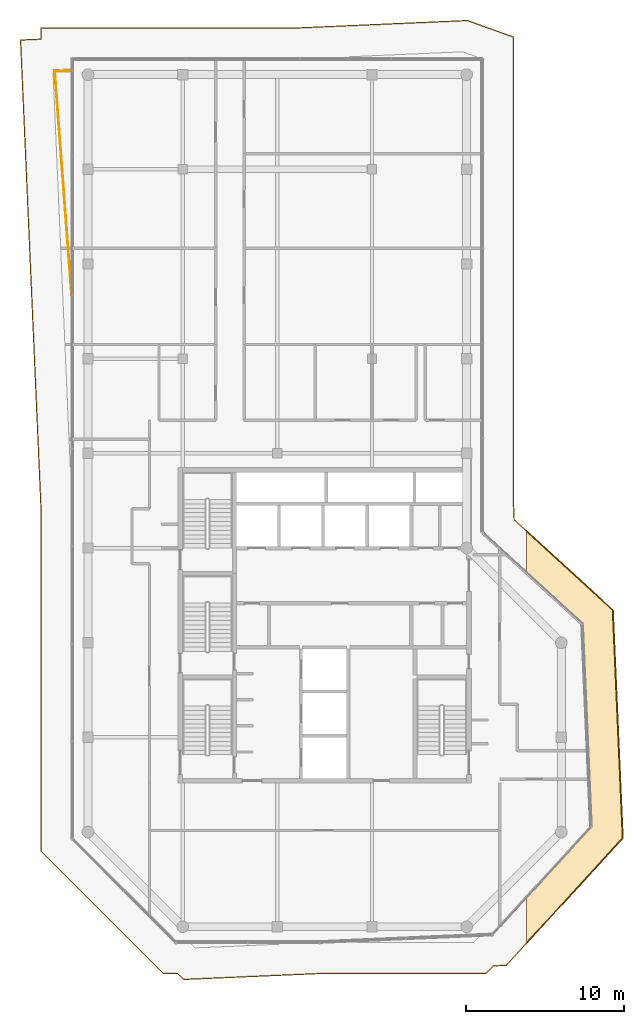
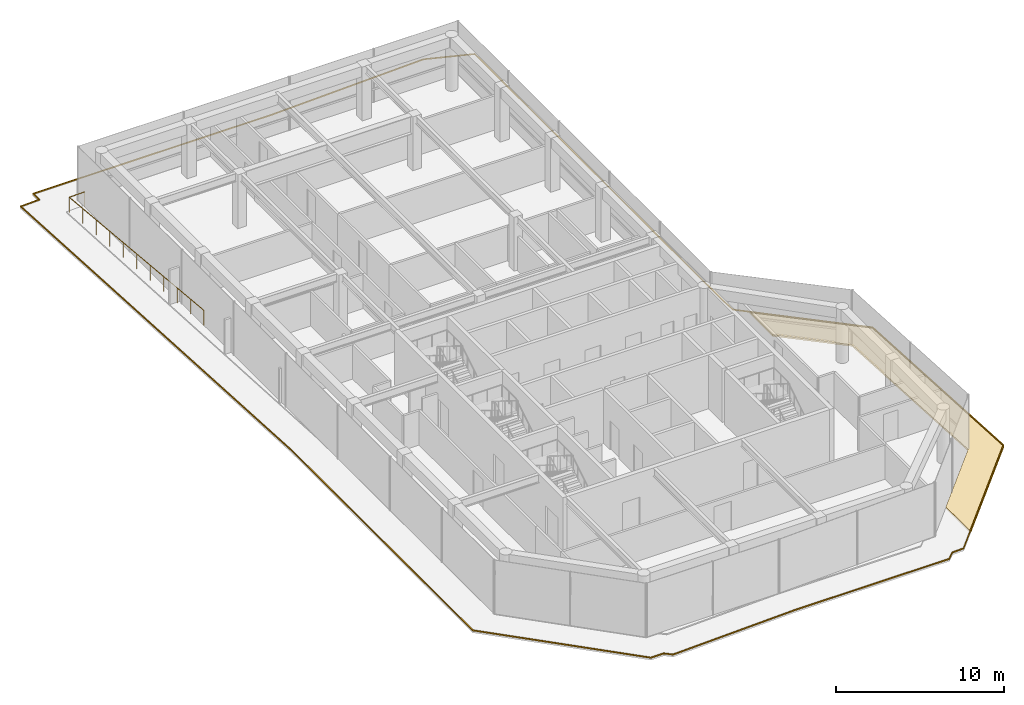
# One storey, part 19 of 19: 3 coverings, 1 railing.
"""IFC4 building model written with IfcOpenShell, lengths in metres."""

from ifc_helpers import new_model, si_unit, direction, frame, origin, origin_2d, place, context, subcontext, project, spatial, polyline, circle, outline, extrude, material, layer, layer_set, type_object, element, save


model = new_model("IFC4")

# Units and contexts
model_context = context("Model", 3, precision=1e-05, world=origin(), true_north=direction((0.0, 1.0)))
body_context = subcontext(model_context, "Body", "Model", "MODEL_VIEW")
ifc_project = project(units=[si_unit("LENGTHUNIT", "METRE"), si_unit("AREAUNIT", "SQUARE_METRE"), si_unit("VOLUMEUNIT", "CUBIC_METRE"), si_unit("PLANEANGLEUNIT", "RADIAN"), si_unit("MASSUNIT", "GRAM", prefix="KILO")], contexts=[model_context])

# Site, building, storey
site_placement = place(None, origin())
site = spatial("IfcSite", under=ifc_project, at=site_placement, CompositionType="ELEMENT")
building_placement = place(site_placement, origin())
building = spatial("IfcBuilding", under=site, at=building_placement, Name="Welwitschia Terrace Campus", CompositionType="ELEMENT")
storey_placement = place(building_placement, frame((0.0, 0.0, 323.0)))
storey = spatial("IfcBuildingStorey", under=building, at=storey_placement, Name="L72", CompositionType="ELEMENT", Elevation=323.0)

# Railing
ifc_material_1 = material(Name="Stainless steel grade 316", Category="steel")
railing_type = type_object("IfcRailingType", Name="Guard 1100", PredefinedType="GUARDRAIL", material=ifc_material_1)
railing_placement = place(storey_placement, frame((-1.030029296875, 36.040771484375, 0.0)))
element("IfcRailing", 1, at=railing_placement, inside=storey, type_object=railing_type, Name="Guard floor edge L72.0", PredefinedType="GUARDRAIL", context=body_context, shape_type="SweptSolid", body=[
    extrude(circle(Radius=0.02392578125, at=origin_2d()), frame((0.0, 0.0, 1.076171875), z_axis=(-0.075231866343, 0.997166067557, 0.0), x_axis=(-0.997166067557, -0.075231866343, 0.0)), (0.0, 0.0, 1.0), 14.200927734375),
    extrude(circle(Radius=0.02392578125, at=origin_2d()), frame((-1.068359375, 14.16064453125, 1.076171875), z_axis=(0.999684212458, 0.025129173531, 0.0), x_axis=(-0.025129173531, 0.999684212458, 0.0)), (0.0, 0.0, 1.0), 1.068603515625),
    extrude(circle(Radius=0.02099609375, at=origin_2d()), origin(), (0.0, 0.0, 1.0), 1.052001953125),
    extrude(circle(Radius=0.02099609375, at=origin_2d()), frame((-0.10693359375, 1.416015625, 0.0)), (0.0, 0.0, 1.0), 1.052001953125),
    extrude(circle(Radius=0.02099609375, at=origin_2d()), frame((-0.213623046875, 2.83203125, 0.0)), (0.0, 0.0, 1.0), 1.052001953125),
    extrude(circle(Radius=0.02099609375, at=origin_2d()), frame((-0.320556640625, 4.248291015625, 0.0)), (0.0, 0.0, 1.0), 1.052001953125),
    extrude(circle(Radius=0.02099609375, at=origin_2d()), frame((-0.42724609375, 5.664306640625, 0.0)), (0.0, 0.0, 1.0), 1.052001953125),
    extrude(circle(Radius=0.02099609375, at=origin_2d()), frame((-0.5341796875, 7.080322265625, 0.0)), (0.0, 0.0, 1.0), 1.052001953125),
    extrude(circle(Radius=0.02099609375, at=origin_2d()), frame((-0.64111328125, 8.496337890625, 0.0)), (0.0, 0.0, 1.0), 1.052001953125),
    extrude(circle(Radius=0.02099609375, at=origin_2d()), frame((-0.747802734375, 9.912353515625, 0.0)), (0.0, 0.0, 1.0), 1.052001953125),
    extrude(circle(Radius=0.02099609375, at=origin_2d()), frame((-0.854736328125, 11.32861328125, 0.0)), (0.0, 0.0, 1.0), 1.052001953125),
    extrude(circle(Radius=0.02099609375, at=origin_2d()), frame((-0.96142578125, 12.74462890625, 0.0)), (0.0, 0.0, 1.0), 1.052001953125),
    extrude(circle(Radius=0.02099609375, at=origin_2d()), frame((-1.068359375, 14.16064453125, 0.0)), (0.0, 0.0, 1.0), 1.052001953125),
    extrude(circle(Radius=0.02099609375, at=origin_2d()), frame((0.0, 14.1875, 0.0)), (0.0, 0.0, 1.0), 1.052001953125),
])

# Coverings
ifc_material_2 = material(Name="Bronze anodised aluminium", Category="aluminium")
ifc_layer_1 = layer(ifc_material_2, 0.1201171875)
ifc_layer_set_1 = layer_set([ifc_layer_1], Name="Bronze anodised aluminium")
covering_type_1 = type_object("IfcCoveringType", Name="Sunshade band 2000", PredefinedType="USERDEFINED", material=ifc_layer_set_1)
covering_1_placement = place(storey_placement, frame((0.0, 0.0, -0.199951171875)))
element("IfcCovering", 2, at=covering_1_placement, inside=storey, type_object=covering_type_1, Name="SUNSHADE L72.SE0", ObjectType="SUNSHADE", PredefinedType="USERDEFINED", context=body_context, shape_type="SweptSolid", body=[
    extrude(outline(polyline([(33.303955078125, 16.07568359375), (33.935791015625, 1.604248046875), (27.776611328125, -5.117431640625), (27.776611328125, -2.156982421875), (31.901611328125, 2.344482421875), (31.342041015625, 15.160888671875), (27.776611328125, 18.427978515625), (27.776611328125, 21.140625), (33.303955078125, 16.07568359375)])), origin(), (0.0, 0.0, 1.0), 0.119873046875),
])
ifc_material_3 = material(Name="Bronze anodised aluminium", Category="aluminium")
ifc_layer_2 = layer(ifc_material_3, 0.06005859375)
ifc_layer_set_2 = layer_set([ifc_layer_2], Name="Bronze anodised aluminium")
covering_type_2 = type_object("IfcCoveringType", Name="Sunshade lip 60", PredefinedType="USERDEFINED", material=ifc_layer_set_2)
covering_2_placement = place(storey_placement, frame((0.0, 0.0, -0.080078125)))
element("IfcCovering", 3, at=covering_2_placement, inside=storey, type_object=covering_type_2, Name="SUNSHADE LIP L72.SW0.0", ObjectType="SUNSHADE", PredefinedType="USERDEFINED", context=body_context, shape_type="SweptSolid", body=[
    extrude(outline(polyline([(-3.0, 53.0), (13.399658203125, 53.0), (24.05908203125, 53.46533203125), (27.0, 52.40478515625), (27.0, 22.90673828125), (27.048095703125, 21.808349609375), (27.776611328125, 21.140625), (27.776611328125, 21.05908203125), (26.989013671875, 21.78076171875), (26.93994140625, 22.905517578125), (26.93994140625, 52.36279296875), (24.0498046875, 53.40478515625), (13.40087890625, 52.93994140625), (-2.93994140625, 52.93994140625), (-2.93994140625, 52.2265625), (-4.24609375, 52.16943359375), (-2.93994140625, 22.25341796875), (-2.93994140625, 0.7822265625), (4.7822265625, -6.93994140625), (5.669677734375, -6.93994140625), (6.08056640625, -7.316650390625), (14.70751953125, -6.93994140625), (25.2177734375, -6.93994140625), (25.697509765625, -6.460205078125), (26.496826171875, -6.42529296875), (27.776611328125, -5.028564453125), (27.776611328125, -5.117431640625), (26.524169921875, -6.484130859375), (25.7236328125, -6.51904296875), (25.24267578125, -7.0), (14.708740234375, -7.0), (6.058349609375, -7.377685546875), (5.646240234375, -7.0), (4.75732421875, -7.0), (-3.0, 0.75732421875), (-3.0, 22.252197265625), (-4.30859375, 52.226806640625), (-3.0, 52.283935546875), (-3.0, 53.0)])), origin(), (0.0, 0.0, 1.0), 0.080078125),
])
covering_3_placement = place(storey_placement, frame((0.0, 0.0, -0.080078125)))
element("IfcCovering", 4, at=covering_3_placement, inside=storey, type_object=covering_type_2, Name="SUNSHADE LIP L72.SE0.0", ObjectType="SUNSHADE", PredefinedType="USERDEFINED", context=body_context, shape_type="SweptSolid", body=[
    extrude(outline(polyline([(33.935791015625, 1.604248046875), (27.776611328125, -5.117431640625), (27.776611328125, -5.028564453125), (33.874755859375, 1.62646484375), (33.2451171875, 16.04833984375), (27.776611328125, 21.05908203125), (27.776611328125, 21.140625), (33.303955078125, 16.07568359375), (33.935791015625, 1.604248046875)])), origin(), (0.0, 0.0, 1.0), 0.080078125),
])

save(model, "model.ifc")
